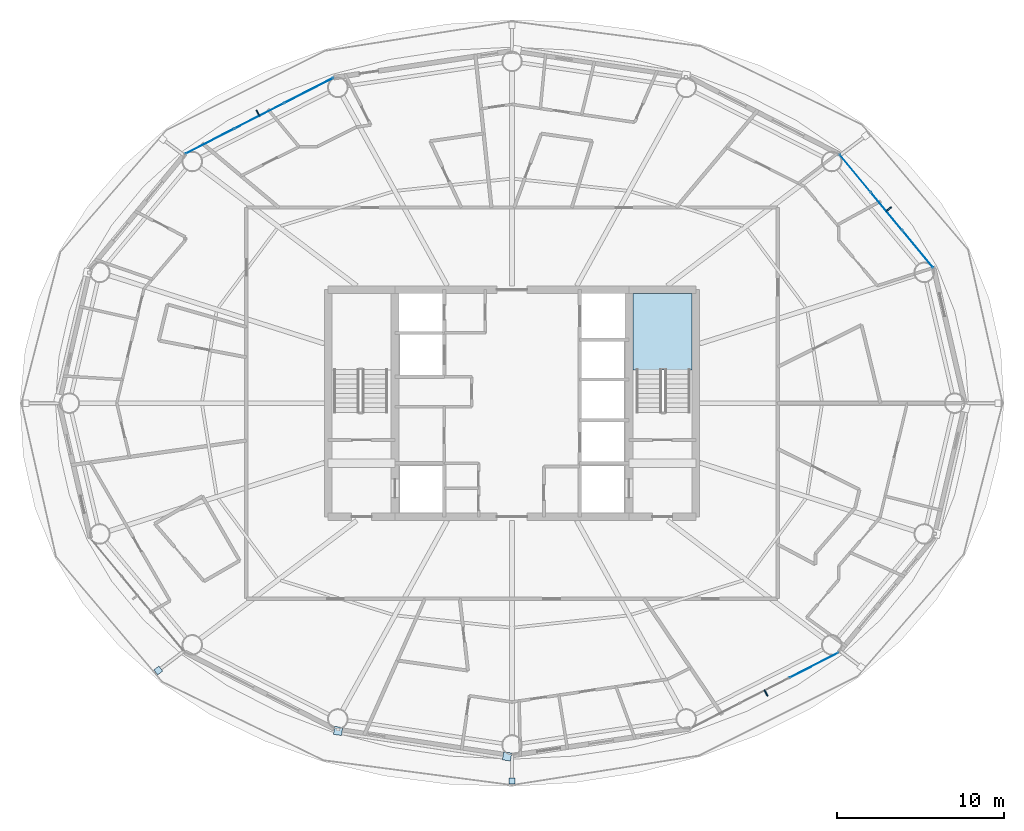
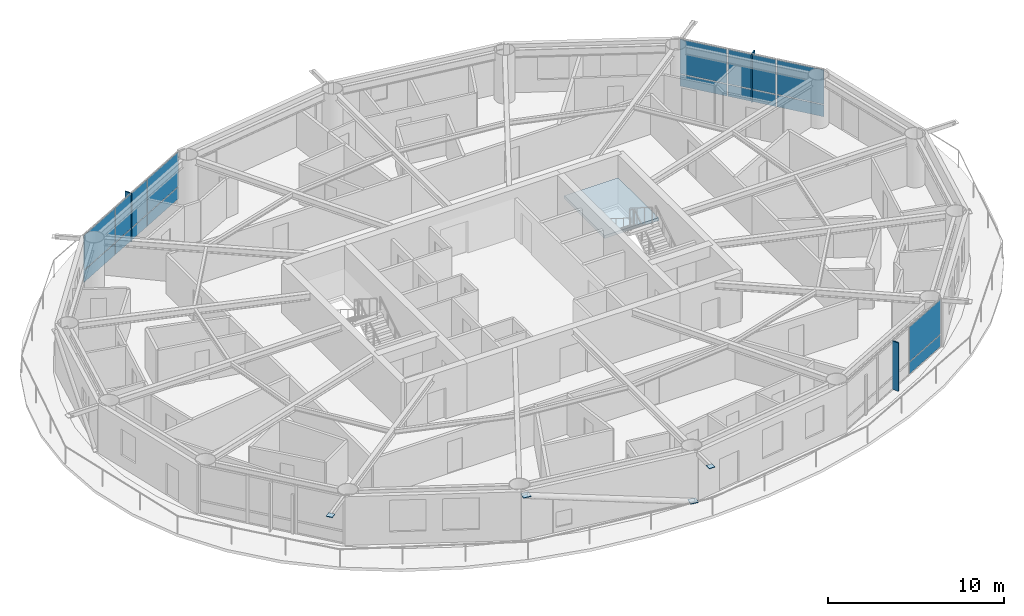
# One storey, part 18 of 28: 21 plates, 1 slab, 4 elements without a shape of their own.
"""IFC4 building model written with IfcOpenShell, lengths in metres."""

from ifc_helpers import new_model, si_unit, direction, frame, origin, origin_2d, place, context, subcontext, project, spatial, polyline, rectangle, outline, extrude, material, layer, layer_set, type_object, element, aggregate, save


model = new_model("IFC4")

# Units and contexts
model_context = context("Model", 3, precision=1e-05, world=origin(), true_north=direction((0.0, 1.0)))
body_context = subcontext(model_context, "Body", "Model", "MODEL_VIEW")
ifc_project = project(units=[si_unit("LENGTHUNIT", "METRE"), si_unit("AREAUNIT", "SQUARE_METRE"), si_unit("VOLUMEUNIT", "CUBIC_METRE"), si_unit("PLANEANGLEUNIT", "RADIAN"), si_unit("MASSUNIT", "GRAM", prefix="KILO")], contexts=[model_context])

# Site, building, storey
site_placement = place(None, origin())
site = spatial("IfcSite", under=ifc_project, at=site_placement, CompositionType="ELEMENT")
building_placement = place(site_placement, origin())
building = spatial("IfcBuilding", under=site, at=building_placement, Name="Sarneth Arch Tower", CompositionType="ELEMENT")
storey_placement = place(building_placement, frame((0.0, 0.0, 179.39990234375)))
storey = spatial("IfcBuildingStorey", under=building, at=storey_placement, Name="L45", CompositionType="ELEMENT", Elevation=179.39990234375)

# Curtain wall, plates
ifc_material_1 = material(Name="Anodised aluminium Type AA25 and solar-control low-e laminated IGU", Category="aluminium")
ifc_layer_1 = layer(ifc_material_1, 0.169921875)
ifc_layer_set_1 = layer_set([ifc_layer_1], Name="Anodised aluminium Type AA25 and solar-control low-e laminated IGU")
curtain_wall_type = type_object("IfcCurtainWallType", Name="CW-RES-MID", PredefinedType="NOTDEFINED", material=ifc_layer_set_1)
curtain_wall_1_placement = place(storey_placement, origin())
curtain_wall_1 = element("IfcCurtainWall", 1, at=curtain_wall_1_placement, inside=storey, type_object=curtain_wall_type, Name="L45 Unitised curtain wall facet 02", PredefinedType="NOTDEFINED")
ifc_material_2 = material(Name="Solar-control low-e laminated IGU", Category="glass")
ifc_layer_2 = layer(ifc_material_2, 0.028076171875)
ifc_layer_set_2 = layer_set([ifc_layer_2], Name="Solar-control low-e laminated IGU")
plate_type_1 = type_object("IfcPlateType", Name="CW-PANEL", PredefinedType="CURTAIN_PANEL", material=ifc_layer_set_2)
plate_1_placement = place(storey_placement, frame((72.280029296875, 51.21826171875, 0.06005859375), z_axis=(0.0, 0.0, 1.0), x_axis=(-0.637330298558, 0.770590741276, 0.0)))
plate_1 = element("IfcPlate", 2, at=plate_1_placement, type_object=plate_type_1, Name="Curtain wall glazed vision pane CW-L45-F02/P00-00", PredefinedType="CURTAIN_PANEL", context=body_context, shape_type="SweptSolid", body=[
    extrude(rectangle(XDim=2.8681640625, YDim=0.028076171875, at=origin_2d()), origin(), (0.0, 0.0, 1.0), 0.81005859375),
])
plate_2_placement = place(storey_placement, frame((72.280029296875, 51.21826171875, 0.93017578125), z_axis=(0.0, 0.0, 1.0), x_axis=(-0.637330298558, 0.770590741276, 0.0)))
plate_2 = element("IfcPlate", 3, at=plate_2_placement, type_object=plate_type_1, Name="Curtain wall glazed vision pane CW-L45-F02/P00-01", PredefinedType="CURTAIN_PANEL", context=body_context, shape_type="SweptSolid", body=[
    extrude(rectangle(XDim=2.8681640625, YDim=0.028076171875, at=origin_2d()), origin(), (0.0, 0.0, 1.0), 2.389892578125),
])
plate_3_placement = place(storey_placement, frame((70.404296875, 53.486328125, 0.06005859375), z_axis=(0.0, 0.0, 1.0), x_axis=(-0.637330298558, 0.770590741276, 0.0)))
plate_3 = element("IfcPlate", 4, at=plate_3_placement, type_object=plate_type_1, Name="Curtain wall glazed vision pane CW-L45-F02/P01-00", PredefinedType="CURTAIN_PANEL", context=body_context, shape_type="SweptSolid", body=[
    extrude(rectangle(XDim=2.898193359375, YDim=0.028076171875, at=origin_2d()), origin(), (0.0, 0.0, 1.0), 0.81005859375),
])
plate_4_placement = place(storey_placement, frame((70.404296875, 53.486328125, 0.93017578125), z_axis=(0.0, 0.0, 1.0), x_axis=(-0.637330298558, 0.770590741276, 0.0)))
plate_4 = element("IfcPlate", 5, at=plate_4_placement, type_object=plate_type_1, Name="Curtain wall glazed vision pane CW-L45-F02/P01-01", PredefinedType="CURTAIN_PANEL", context=body_context, shape_type="SweptSolid", body=[
    extrude(rectangle(XDim=2.898193359375, YDim=0.028076171875, at=origin_2d()), origin(), (0.0, 0.0, 1.0), 2.389892578125),
])
plate_5_placement = place(storey_placement, frame((68.5283203125, 55.75439453125, 0.06005859375), z_axis=(0.0, 0.0, 1.0), x_axis=(-0.637330298558, 0.770590741276, 0.0)))
plate_5 = element("IfcPlate", 6, at=plate_5_placement, type_object=plate_type_1, Name="Curtain wall glazed vision pane CW-L45-F02/P02-00", PredefinedType="CURTAIN_PANEL", context=body_context, shape_type="SweptSolid", body=[
    extrude(rectangle(XDim=2.8681640625, YDim=0.028076171875, at=origin_2d()), origin(), (0.0, 0.0, 1.0), 0.81005859375),
])
plate_6_placement = place(storey_placement, frame((68.5283203125, 55.75439453125, 0.93017578125), z_axis=(0.0, 0.0, 1.0), x_axis=(-0.637330298558, 0.770590741276, 0.0)))
plate_6 = element("IfcPlate", 7, at=plate_6_placement, type_object=plate_type_1, Name="Curtain wall glazed vision pane CW-L45-F02/P02-01", PredefinedType="CURTAIN_PANEL", context=body_context, shape_type="SweptSolid", body=[
    extrude(rectangle(XDim=2.8681640625, YDim=0.028076171875, at=origin_2d()), origin(), (0.0, 0.0, 1.0), 2.389892578125),
])
aggregate(curtain_wall_1, [plate_1, plate_2, plate_3, plate_4, plate_5, plate_6])

curtain_wall_2_placement = place(storey_placement, origin())
curtain_wall_2 = element("IfcCurtainWall", 8, at=curtain_wall_2_placement, inside=storey, type_object=curtain_wall_type, Name="L45 Unitised curtain wall facet 06", PredefinedType="NOTDEFINED")
plate_7_placement = place(storey_placement, frame((35.83837890625, 60.70703125, 0.06005859375), z_axis=(0.0, 0.0, 1.0), x_axis=(-0.88987293003, -0.456208470329, 0.0)))
plate_7 = element("IfcPlate", 9, at=plate_7_placement, type_object=plate_type_1, Name="Curtain wall glazed vision pane CW-L45-F06/P00-00", PredefinedType="CURTAIN_PANEL", context=body_context, shape_type="SweptSolid", body=[
    extrude(rectangle(XDim=3.248779296875, YDim=0.028076171875, at=origin_2d()), origin(), (0.0, 0.0, 1.0), 0.81005859375),
])
plate_8_placement = place(storey_placement, frame((35.83837890625, 60.70703125, 0.93017578125), z_axis=(0.0, 0.0, 1.0), x_axis=(-0.88987293003, -0.456208470329, 0.0)))
plate_8 = element("IfcPlate", 10, at=plate_8_placement, type_object=plate_type_1, Name="Curtain wall glazed vision pane CW-L45-F06/P00-01", PredefinedType="CURTAIN_PANEL", context=body_context, shape_type="SweptSolid", body=[
    extrude(rectangle(XDim=3.248779296875, YDim=0.028076171875, at=origin_2d()), origin(), (0.0, 0.0, 1.0), 2.389892578125),
])
plate_9_placement = place(storey_placement, frame((32.880615234375, 59.190673828125, 0.06005859375), z_axis=(0.0, 0.0, 1.0), x_axis=(-0.88987293003, -0.456208470329, 0.0)))
plate_9 = element("IfcPlate", 11, at=plate_9_placement, type_object=plate_type_1, Name="Curtain wall glazed vision pane CW-L45-F06/P01-00", PredefinedType="CURTAIN_PANEL", context=body_context, shape_type="SweptSolid", body=[
    extrude(rectangle(XDim=3.27880859375, YDim=0.028076171875, at=origin_2d()), origin(), (0.0, 0.0, 1.0), 0.81005859375),
])
plate_10_placement = place(storey_placement, frame((32.880615234375, 59.190673828125, 0.93017578125), z_axis=(0.0, 0.0, 1.0), x_axis=(-0.88987293003, -0.456208470329, 0.0)))
plate_10 = element("IfcPlate", 12, at=plate_10_placement, type_object=plate_type_1, Name="Curtain wall glazed vision pane CW-L45-F06/P01-01", PredefinedType="CURTAIN_PANEL", context=body_context, shape_type="SweptSolid", body=[
    extrude(rectangle(XDim=3.27880859375, YDim=0.028076171875, at=origin_2d()), origin(), (0.0, 0.0, 1.0), 2.389892578125),
])
plate_11_placement = place(storey_placement, frame((29.9228515625, 57.67431640625, 0.06005859375), z_axis=(0.0, 0.0, 1.0), x_axis=(-0.88987293003, -0.456208470329, 0.0)))
plate_11 = element("IfcPlate", 13, at=plate_11_placement, type_object=plate_type_1, Name="Curtain wall glazed vision pane CW-L45-F06/P02-00", PredefinedType="CURTAIN_PANEL", context=body_context, shape_type="SweptSolid", body=[
    extrude(rectangle(XDim=3.248779296875, YDim=0.028076171875, at=origin_2d()), origin(), (0.0, 0.0, 1.0), 0.81005859375),
])
plate_12_placement = place(storey_placement, frame((29.9228515625, 57.67431640625, 0.93017578125), z_axis=(0.0, 0.0, 1.0), x_axis=(-0.88987293003, -0.456208470329, 0.0)))
plate_12 = element("IfcPlate", 14, at=plate_12_placement, type_object=plate_type_1, Name="Curtain wall glazed vision pane CW-L45-F06/P02-01", PredefinedType="CURTAIN_PANEL", context=body_context, shape_type="SweptSolid", body=[
    extrude(rectangle(XDim=3.248779296875, YDim=0.028076171875, at=origin_2d()), origin(), (0.0, 0.0, 1.0), 2.389892578125),
])
aggregate(curtain_wall_2, [plate_7, plate_8, plate_9, plate_10, plate_11, plate_12])

curtain_wall_3_placement = place(storey_placement, origin())
curtain_wall_3 = element("IfcCurtainWall", 15, at=curtain_wall_3_placement, inside=storey, type_object=curtain_wall_type, Name="L45 Unitised curtain wall facet 14", PredefinedType="NOTDEFINED")
plate_13_placement = place(storey_placement, frame((66.0771484375, 26.32568359375, 0.06005859375), z_axis=(0.0, 0.0, 1.0), x_axis=(0.88987293003, 0.456208470329, 0.0)))
plate_13 = element("IfcPlate", 16, at=plate_13_placement, type_object=plate_type_1, Name="Curtain wall glazed vision pane CW-L45-F14/P02-00", PredefinedType="CURTAIN_PANEL", context=body_context, shape_type="SweptSolid", body=[
    extrude(rectangle(XDim=3.248779296875, YDim=0.028076171875, at=origin_2d()), origin(), (0.0, 0.0, 1.0), 0.81005859375),
])
plate_14_placement = place(storey_placement, frame((66.0771484375, 26.32568359375, 0.93017578125), z_axis=(0.0, 0.0, 1.0), x_axis=(0.88987293003, 0.456208470329, 0.0)))
plate_14 = element("IfcPlate", 17, at=plate_14_placement, type_object=plate_type_1, Name="Curtain wall glazed vision pane CW-L45-F14/P02-01", PredefinedType="CURTAIN_PANEL", context=body_context, shape_type="SweptSolid", body=[
    extrude(rectangle(XDim=3.248779296875, YDim=0.028076171875, at=origin_2d()), origin(), (0.0, 0.0, 1.0), 2.389892578125),
])
aggregate(curtain_wall_3, [plate_13, plate_14])

# Plates
ifc_material_3 = material(Name="Steel S355", Category="steel")
ifc_layer_3 = layer(ifc_material_3, 0.035888671875)
ifc_layer_set_3 = layer_set([ifc_layer_3], Name="Steel S355")
plate_type_2 = type_object("IfcPlateType", Name="PLT-GUSSET-30", PredefinedType="SHEET", material=ifc_layer_set_3)
plate_15_placement = place(storey_placement, frame((26.83642578125, 26.005615234375, 3.2021484375), z_axis=(0.0, 0.0, 1.0), x_axis=(-0.797794439539, -0.602929541689, 0.0)))
element("IfcPlate", 18, at=plate_15_placement, inside=storey, type_object=plate_type_2, Name="Steel end cap plate GP-1", PredefinedType="SHEET", context=body_context, shape_type="SweptSolid", body=[
    extrude(rectangle(XDim=0.3798828125, YDim=0.3798828125, at=origin_2d()), origin(), (0.0, 0.0, 1.0), 0.035888671875),
])
for number, where, z_axis, x_axis, name in (
    (19, (47.703369140625, 20.86474609375, 0.001953125), (0.0, 0.0, 1.0), (0.98883454203, -0.149017611339, 0.0), "Steel end cap plate GP-1"),
    (20, (37.595703125, 22.387451171875, 3.03271484375), (0.0, 0.0, 1.0), (0.98883454203, -0.149017611339, 0.0), "Steel end cap plate GP-1"),
):
    element("IfcPlate", number, at=place(storey_placement, frame(where, z_axis=z_axis, x_axis=x_axis)), inside=storey, type_object=plate_type_2, Name=name, PredefinedType="SHEET", context=body_context, shape_type="SweptSolid", body=[
        extrude(rectangle(XDim=0.486083984375, YDim=0.486083984375, at=origin_2d()), origin(), (0.0, 0.0, 1.0), 0.035888671875),
    ])
plate_16_placement = place(storey_placement, frame((48.0, 19.3916015625, 3.2021484375), z_axis=(0.0, 0.0, 1.0), x_axis=(0.0, -1.0, 0.0)))
element("IfcPlate", 21, at=plate_16_placement, inside=storey, type_object=plate_type_2, Name="Steel end cap plate GP-1", PredefinedType="SHEET", context=body_context, shape_type="SweptSolid", body=[
    extrude(rectangle(XDim=0.3798828125, YDim=0.3798828125, at=origin_2d()), origin(), (0.0, 0.0, 1.0), 0.035888671875),
])
ifc_material_4 = material(Name="Extruded glazed terracotta baguette fin on Aluminium 6063-T6 carrier", Category="masonry")
ifc_layer_4 = layer(ifc_material_4, 0.080078125)
ifc_layer_set_4 = layer_set([ifc_layer_4], Name="Extruded glazed terracotta baguette fin on Aluminium 6063-T6 carrier")
plate_type_3 = type_object("IfcPlateType", Name="SHADE-TERRA-FIN", PredefinedType="SHEET", material=ifc_layer_set_4)
for number, where, z_axis, x_axis, name in (
    (22, (70.53515625, 53.5947265625, 0.01025390625), (0.0, 0.0, 1.0), (0.770624482513, 0.637289500111, 0.0), "L45 Terracotta vertical shading fin 02"),
    (23, (32.802978515625, 59.341796875, 0.01025390625), (0.0, 0.0, 1.0), (-0.456166281949, 0.889894557357, 0.0), "L45 Terracotta vertical shading fin 06"),
    (24, (63.197021484375, 24.658203125, 0.01025390625), (0.0, 0.0, 1.0), (0.456166281949, -0.889894557357, 0.0), "L45 Terracotta vertical shading fin 14"),
):
    element("IfcPlate", number, at=place(storey_placement, frame(where, z_axis=z_axis, x_axis=x_axis)), inside=storey, type_object=plate_type_3, Name=name, PredefinedType="SHEET", context=body_context, shape_type="SweptSolid", body=[
        extrude(rectangle(XDim=0.419921875, YDim=0.080078125, at=origin_2d()), origin(), (0.0, 0.0, 1.0), 3.360107421875),
    ])

# Stair, slab
ifc_material_5 = material(Name="Concrete C50/60", Category="concrete")
stair_type = type_object("IfcStairType", Name="STAIR-CORE-RC", PredefinedType="HALF_TURN_STAIR", material=ifc_material_5)
stair_placement = place(storey_placement, origin())
stair = element("IfcStair", 25, at=stair_placement, inside=storey, type_object=stair_type, Name="L45 Core Exit Stair 2", PredefinedType="HALF_TURN_STAIR")
ifc_material_6 = material(Name="Concrete C50/60", Category="concrete")
ifc_layer_5 = layer(ifc_material_6, 0.199951171875)
ifc_layer_set_5 = layer_set([ifc_layer_5], Name="Concrete C50/60")
slab_type = type_object("IfcSlabType", Name="SLAB-LANDING-200", PredefinedType="LANDING", material=ifc_layer_set_5)
slab_placement = place(storey_placement, frame((0.0, 0.0, 1.60009765625)))
slab = element("IfcSlab", 26, at=slab_placement, type_object=slab_type, Name="ST-2 landing 1", PredefinedType="LANDING", context=body_context, shape_type="SweptSolid", body=[
    extrude(outline(polyline([(55.22509765625, 43.985107421875), (58.77490234375, 43.985107421875), (58.77490234375, 48.574951171875), (55.22509765625, 48.574951171875), (55.22509765625, 43.985107421875)])), origin(), (0.0, 0.0, 1.0), 0.199951171875),
])
aggregate(stair, [slab])

save(model, "model.ifc")
